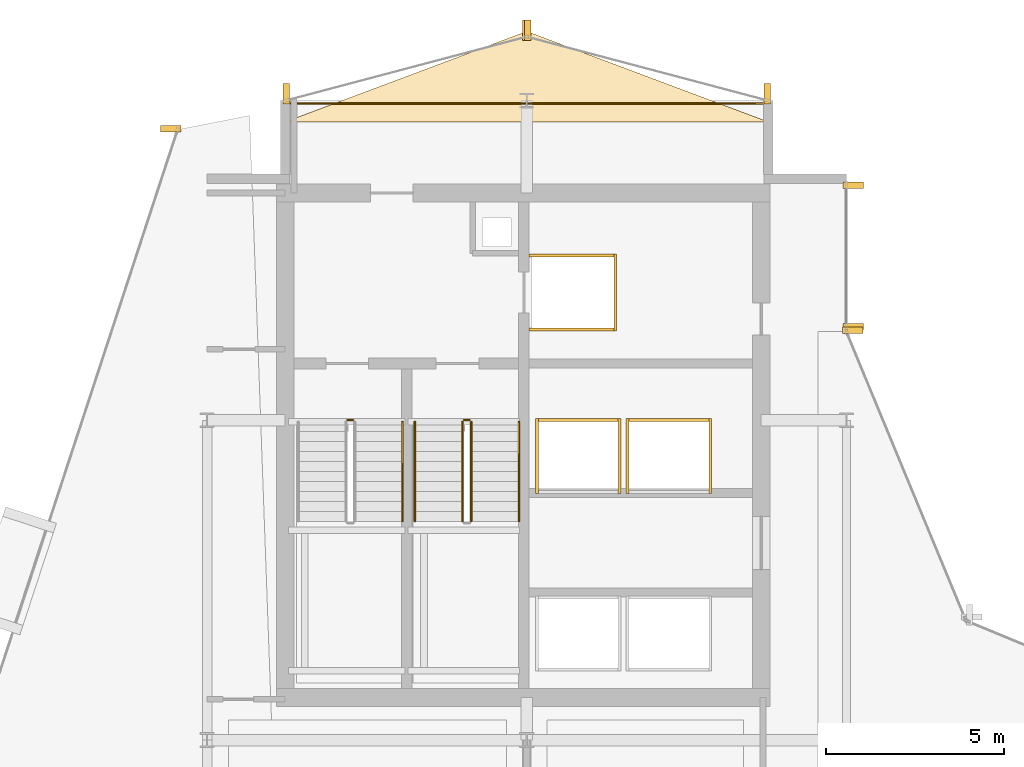
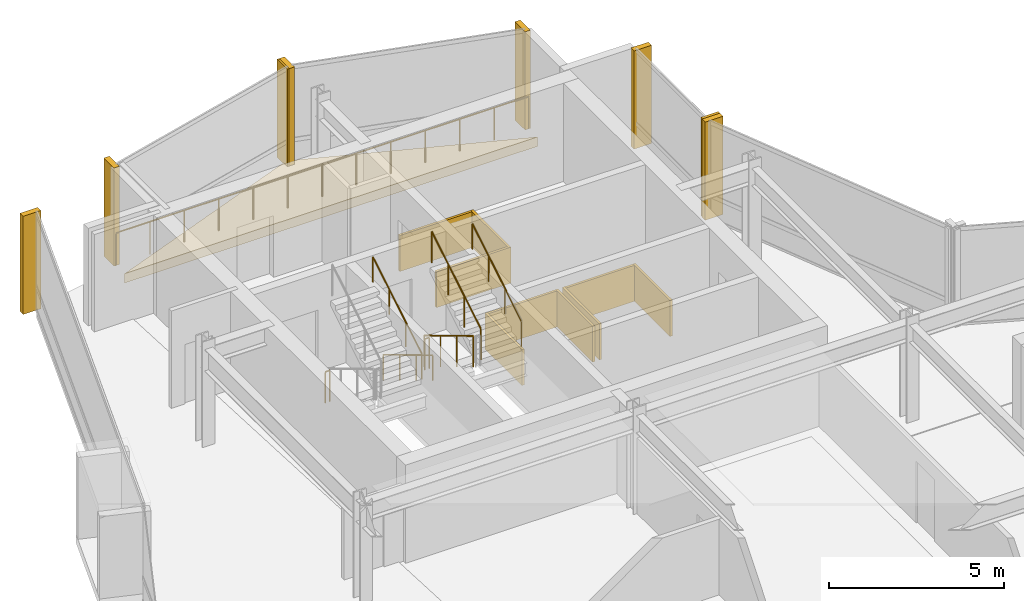
# One storey, part 27 of 27: 18 coverings, 8 railings.
"""IFC4 building model written with IfcOpenShell, lengths in metres."""

from ifc_helpers import new_model, si_unit, direction, frame, origin, origin_2d, place, context, subcontext, project, spatial, polyline, rectangle, circle, outline, extrude, material, layer, layer_set, type_object, element, save


model = new_model("IFC4")

# Units and contexts
model_context = context("Model", 3, precision=1e-05, world=origin(), true_north=direction((0.0, 1.0)))
body_context = subcontext(model_context, "Body", "Model", "MODEL_VIEW")
ifc_project = project(units=[si_unit("LENGTHUNIT", "METRE"), si_unit("AREAUNIT", "SQUARE_METRE"), si_unit("VOLUMEUNIT", "CUBIC_METRE"), si_unit("PLANEANGLEUNIT", "RADIAN"), si_unit("MASSUNIT", "GRAM", prefix="KILO")], contexts=[model_context])

# Site, building, storey
site_placement = place(None, origin())
site = spatial("IfcSite", under=ifc_project, at=site_placement, CompositionType="ELEMENT")
building_placement = place(site_placement, origin())
building = spatial("IfcBuilding", under=site, at=building_placement, Name="Solvaryn Broadcast Tower", CompositionType="ELEMENT")
storey_placement = place(building_placement, frame((0.0, 0.0, 181.60009765625)))
storey = spatial("IfcBuildingStorey", under=building, at=storey_placement, Name="L45", CompositionType="ELEMENT", Elevation=181.60009765625)

# Coverings
ifc_material_1 = material(Name="Fire-Rated Gypsum Shaftwall Liner", Category="concrete")
ifc_layer_1 = layer(ifc_material_1, 0.080078125)
ifc_layer_set_1 = layer_set([ifc_layer_1], Name="CV-SHAFT-LINER")
covering_type_1 = type_object("IfcCoveringType", Name="CV-SHAFT-LINER", PredefinedType="CLADDING", material=ifc_layer_set_1)
for number, where, z_axis, x_axis, name in (
    (1, (19.300048828125, 40.639892578125, 0.0), (0.0, 0.0, 1.0), (1.0, 0.0, 0.0), "L45 FL1 Hoistway Shaft Liner North"),
    (2, (19.300048828125, 38.56005859375, 0.0), (0.0, 0.0, 1.0), (1.0, 0.0, 0.0), "L45 FL1 Hoistway Shaft Liner South"),
):
    element("IfcCovering", number, at=place(storey_placement, frame(where, z_axis=z_axis, x_axis=x_axis)), inside=storey, type_object=covering_type_1, Name=name, PredefinedType="CLADDING", context=body_context, shape_type="SweptSolid", body=[
        extrude(rectangle(XDim=2.4599609375, YDim=0.080078125, at=origin_2d()), origin(), (0.0, 0.0, 1.0), 1.25),
    ])
covering_1_placement = place(storey_placement, frame((20.489990234375, 39.60009765625, 0.0), z_axis=(0.0, 0.0, 1.0), x_axis=(1.0, 0.0, 0.0)))
element("IfcCovering", 3, at=covering_1_placement, inside=storey, type_object=covering_type_1, Name="L45 FL1 Hoistway Shaft Liner East", PredefinedType="CLADDING", context=body_context, shape_type="SweptSolid", body=[
    extrude(rectangle(XDim=0.080078125, YDim=2.159912109375, at=origin_2d()), origin(), (0.0, 0.0, 1.0), 1.25),
])
covering_2_placement = place(storey_placement, frame((19.449951171875, 36.014892578125, 0.0), z_axis=(0.0, 0.0, 1.0), x_axis=(1.0, 0.0, 0.0)))
element("IfcCovering", 4, at=covering_2_placement, inside=storey, type_object=covering_type_1, Name="L45 PH3 Hoistway Shaft Liner North", PredefinedType="CLADDING", context=body_context, shape_type="SweptSolid", body=[
    extrude(rectangle(XDim=2.409912109375, YDim=0.080078125, at=origin_2d()), origin(), (0.0, 0.0, 1.0), 1.25),
])
for number, where, z_axis, x_axis, name in (
    (5, (20.614990234375, 35.0, 0.0), (0.0, 0.0, 1.0), (1.0, 0.0, 0.0), "L45 PH3 Hoistway Shaft Liner East"),
    (6, (18.284912109375, 35.0, 0.0), (0.0, 0.0, 1.0), (1.0, 0.0, 0.0), "L45 PH3 Hoistway Shaft Liner West"),
):
    element("IfcCovering", number, at=place(storey_placement, frame(where, z_axis=z_axis, x_axis=x_axis)), inside=storey, type_object=covering_type_1, Name=name, PredefinedType="CLADDING", context=body_context, shape_type="SweptSolid", body=[
        extrude(rectangle(XDim=0.080078125, YDim=2.110107421875, at=origin_2d()), origin(), (0.0, 0.0, 1.0), 1.25),
    ])
covering_3_placement = place(storey_placement, frame((22.0, 36.014892578125, 0.0), z_axis=(0.0, 0.0, 1.0), x_axis=(1.0, 0.0, 0.0)))
element("IfcCovering", 7, at=covering_3_placement, inside=storey, type_object=covering_type_1, Name="L45 PH4 Hoistway Shaft Liner North", PredefinedType="CLADDING", context=body_context, shape_type="SweptSolid", body=[
    extrude(rectangle(XDim=2.409912109375, YDim=0.080078125, at=origin_2d()), origin(), (0.0, 0.0, 1.0), 1.25),
])
for number, where, z_axis, x_axis, name in (
    (8, (23.1650390625, 35.0, 0.0), (0.0, 0.0, 1.0), (1.0, 0.0, 0.0), "L45 PH4 Hoistway Shaft Liner East"),
    (9, (20.8349609375, 35.0, 0.0), (0.0, 0.0, 1.0), (1.0, 0.0, 0.0), "L45 PH4 Hoistway Shaft Liner West"),
):
    element("IfcCovering", number, at=place(storey_placement, frame(where, z_axis=z_axis, x_axis=x_axis)), inside=storey, type_object=covering_type_1, Name=name, PredefinedType="CLADDING", context=body_context, shape_type="SweptSolid", body=[
        extrude(rectangle(XDim=0.080078125, YDim=2.110107421875, at=origin_2d()), origin(), (0.0, 0.0, 1.0), 1.25),
    ])
ifc_material_2 = material(Name="Extruded Architectural Terracotta Fin", Category="masonry")
ifc_layer_2 = layer(ifc_material_2, 0.179931640625)
ifc_layer_set_2 = layer_set([ifc_layer_2], Name="CV-TC-FIN")
covering_type_2 = type_object("IfcCoveringType", Name="CV-TC-FIN", PredefinedType="USERDEFINED", material=ifc_layer_set_2)
for number, where, z_axis, x_axis, name in (
    (10, (7.982666015625, 44.209716796875, 0.0), (0.0, 0.0, 1.0), (1.0, 0.0, 0.0), "L45 Terracotta Vertical Fin FIN-L45-DR1-M00"),
    (11, (27.1875, 42.6201171875, 0.0), (0.0, 0.0, 1.0), (1.0, 0.0, 0.0), "L45 Terracotta Vertical Fin FIN-L45-IV-M00"),
    (12, (27.1875, 38.6298828125, 0.0), (0.0, 0.0, 1.0), (1.0, 0.0, 0.0), "L45 Terracotta Vertical Fin FIN-L45-IV-M01"),
    (13, (27.177978515625, 38.541259765625, 0.0), (0.0, 0.0, 1.0), (1.0, 0.0, 0.0), "L45 Terracotta Vertical Fin FIN-L45-CN2-M01"),
):
    element("IfcCovering", number, at=place(storey_placement, frame(where, z_axis=z_axis, x_axis=x_axis)), inside=storey, type_object=covering_type_2, Name=name, ObjectType="FIN", PredefinedType="USERDEFINED", context=body_context, shape_type="SweptSolid", body=[
        extrude(rectangle(XDim=0.580078125, YDim=0.179931640625, at=origin_2d()), origin(), (0.0, 0.0, 1.0), 3.419921875),
    ])
for number, where, z_axis, x_axis, name in (
    (14, (24.77099609375, 45.1953125, 0.0), (0.0, 0.0, 1.0), (1.0, 0.0, 0.0), "L45 Terracotta Vertical Fin FIN-L45-NT1-M00"),
    (15, (18.029052734375, 46.979736328125, 0.0), (0.0, 0.0, 1.0), (1.0, 0.0, 0.0), "L45 Terracotta Vertical Fin FIN-L45-NT1-M01"),
    (16, (17.970947265625, 46.979736328125, 0.0), (0.0, 0.0, 1.0), (1.0, 0.0, 0.0), "L45 Terracotta Vertical Fin FIN-L45-NT2-M00"),
    (17, (11.22900390625, 45.1953125, 0.0), (0.0, 0.0, 1.0), (1.0, 0.0, 0.0), "L45 Terracotta Vertical Fin FIN-L45-NT2-M01"),
):
    element("IfcCovering", number, at=place(storey_placement, frame(where, z_axis=z_axis, x_axis=x_axis)), inside=storey, type_object=covering_type_2, Name=name, ObjectType="FIN", PredefinedType="USERDEFINED", context=body_context, shape_type="SweptSolid", body=[
        extrude(rectangle(XDim=0.179931640625, YDim=0.580078125, at=origin_2d()), origin(), (0.0, 0.0, 1.0), 3.419921875),
    ])
ifc_material_3 = material(Name="Sculpted Architectural Terracotta Wave Fascia", Category="masonry")
ifc_layer_3 = layer(ifc_material_3, 0.340087890625)
ifc_layer_set_3 = layer_set([ifc_layer_3], Name="CV-WAVE-TRAY")
covering_type_3 = type_object("IfcCoveringType", Name="CV-WAVE-TRAY", PredefinedType="CLADDING", material=ifc_layer_set_3)
covering_4_placement = place(storey_placement, frame((0.0, 0.0, -0.300048828125)))
element("IfcCovering", 18, at=covering_4_placement, inside=storey, type_object=covering_type_3, Name="L45 North Curved Wing Deck", PredefinedType="CLADDING", context=body_context, shape_type="SweptSolid", body=[
    extrude(outline(polyline([(11.199951171875, 44.39990234375), (24.800048828125, 44.39990234375), (18.0, 46.949951171875), (11.199951171875, 44.39990234375)])), origin(), (0.0, 0.0, 1.0), 0.329833984375),
])

# Railings
ifc_material_4 = material(Name="Painted Steel Stair Well Guard", Category="steel")
railing_type_1 = type_object("IfcRailingType", Name="RL-STAIR-GUARD", PredefinedType="BALUSTRADE", material=ifc_material_4)
railing_1_placement = place(storey_placement, frame((12.9599609375, 36.010009765625, 0.0)))
element("IfcRailing", 19, at=railing_1_placement, inside=storey, type_object=railing_type_1, Name="L45 ST1 stair guard 4", PredefinedType="BALUSTRADE", context=body_context, shape_type="SweptSolid", body=[
    extrude(circle(Radius=0.02392578125, at=origin_2d()), frame((0.0, 0.0, 1.076171875), z_axis=(1.0, 0.0, 0.0), x_axis=(0.0, 1.0, 0.0)), (0.0, 0.0, 1.0), 0.150146484375),
    extrude(circle(Radius=0.02099609375, at=origin_2d()), origin(), (0.0, 0.0, 1.0), 1.052001953125),
    extrude(circle(Radius=0.02099609375, at=origin_2d()), frame((0.150146484375, 0.0, 0.0)), (0.0, 0.0, 1.0), 1.052001953125),
])
railing_2_placement = place(storey_placement, frame((16.18994140625, 35.9599609375, 0.16796875)))
element("IfcRailing", 20, at=railing_2_placement, inside=storey, type_object=railing_type_1, Name="L45 ST2 stair guard 1", PredefinedType="BALUSTRADE", context=body_context, shape_type="SweptSolid", body=[
    extrude(circle(Radius=0.02392578125, at=origin_2d()), frame((0.0, 0.0, 1.076171875), z_axis=(0.0, -0.857242210791, 0.514913383045), x_axis=(1.0, 0.0, 0.0)), (0.0, 0.0, 1.0), 3.266357421875),
    extrude(circle(Radius=0.02099609375, at=origin_2d()), origin(), (0.0, 0.0, 1.0), 1.052001953125),
    extrude(circle(Radius=0.02099609375, at=origin_2d()), frame((0.0, -0.933349609375, 0.560546875)), (0.0, 0.0, 1.0), 1.052001953125),
    extrude(circle(Radius=0.02099609375, at=origin_2d()), frame((0.0, -1.86669921875, 1.121337890625)), (0.0, 0.0, 1.0), 1.052001953125),
    extrude(circle(Radius=0.02099609375, at=origin_2d()), frame((0.0, -2.800048828125, 1.681884765625)), (0.0, 0.0, 1.0), 1.052001953125),
])
railing_3_placement = place(storey_placement, frame((16.43994140625, 33.159912109375, 2.01806640625)))
element("IfcRailing", 21, at=railing_3_placement, inside=storey, type_object=railing_type_1, Name="L45 ST2 stair guard 3", PredefinedType="BALUSTRADE", context=body_context, shape_type="SweptSolid", body=[
    extrude(circle(Radius=0.02392578125, at=origin_2d()), frame((0.0, 0.0, 1.076171875), z_axis=(0.0, 0.857242210791, 0.514913383045), x_axis=(-1.0, 0.0, 0.0)), (0.0, 0.0, 1.0), 3.266357421875),
    extrude(circle(Radius=0.02099609375, at=origin_2d()), origin(), (0.0, 0.0, 1.0), 1.052001953125),
    extrude(circle(Radius=0.02099609375, at=origin_2d()), frame((0.0, 0.933349609375, 0.560546875)), (0.0, 0.0, 1.0), 1.052001953125),
    extrude(circle(Radius=0.02099609375, at=origin_2d()), frame((0.0, 1.86669921875, 1.121337890625)), (0.0, 0.0, 1.0), 1.052001953125),
    extrude(circle(Radius=0.02099609375, at=origin_2d()), frame((0.0, 2.800048828125, 1.681884765625)), (0.0, 0.0, 1.0), 1.052001953125),
])
railing_4_placement = place(storey_placement, frame((16.239990234375, 36.010009765625, 0.0)))
element("IfcRailing", 22, at=railing_4_placement, inside=storey, type_object=railing_type_1, Name="L45 ST2 stair guard 4", PredefinedType="BALUSTRADE", context=body_context, shape_type="SweptSolid", body=[
    extrude(circle(Radius=0.02392578125, at=origin_2d()), frame((0.0, 0.0, 1.076171875), z_axis=(1.0, 0.0, 0.0), x_axis=(0.0, 1.0, 0.0)), (0.0, 0.0, 1.0), 0.14990234375),
    extrude(circle(Radius=0.02099609375, at=origin_2d()), origin(), (0.0, 0.0, 1.0), 1.052001953125),
    extrude(circle(Radius=0.02099609375, at=origin_2d()), frame((0.14990234375, 0.0, 0.0)), (0.0, 0.0, 1.0), 1.052001953125),
])
ifc_material_5 = material(Name="Brushed Stainless Steel Tubular Handrail", Category="steel")
railing_type_2 = type_object("IfcRailingType", Name="RL-STAIR-HANDRAIL", PredefinedType="HANDRAIL", material=ifc_material_5)
railing_5_placement = place(storey_placement, frame((14.5, 33.159912109375, 2.01806640625)))
element("IfcRailing", 23, at=railing_5_placement, inside=storey, type_object=railing_type_2, Name="L45 ST1 stair handrail 2", PredefinedType="HANDRAIL", context=body_context, shape_type="SweptSolid", body=[
    extrude(circle(Radius=0.02392578125, at=origin_2d()), frame((0.0, 0.0, 0.8759765625), z_axis=(0.0, 0.857242210791, 0.514913383045), x_axis=(-1.0, 0.0, 0.0)), (0.0, 0.0, 1.0), 3.266357421875),
    extrude(circle(Radius=0.02099609375, at=origin_2d()), origin(), (0.0, 0.0, 1.0), 0.851806640625),
    extrude(circle(Radius=0.02099609375, at=origin_2d()), frame((0.0, 0.933349609375, 0.560546875)), (0.0, 0.0, 1.0), 0.851806640625),
    extrude(circle(Radius=0.02099609375, at=origin_2d()), frame((0.0, 1.86669921875, 1.121337890625)), (0.0, 0.0, 1.0), 0.851806640625),
    extrude(circle(Radius=0.02099609375, at=origin_2d()), frame((0.0, 2.800048828125, 1.681884765625)), (0.0, 0.0, 1.0), 0.851806640625),
])
railing_6_placement = place(storey_placement, frame((14.85009765625, 35.9599609375, 0.16796875)))
element("IfcRailing", 24, at=railing_6_placement, inside=storey, type_object=railing_type_2, Name="L45 ST2 stair handrail 1", PredefinedType="HANDRAIL", context=body_context, shape_type="SweptSolid", body=[
    extrude(circle(Radius=0.02392578125, at=origin_2d()), frame((0.0, 0.0, 0.8759765625), z_axis=(0.0, -0.857242210791, 0.514913383045), x_axis=(1.0, 0.0, 0.0)), (0.0, 0.0, 1.0), 3.266357421875),
    extrude(circle(Radius=0.02099609375, at=origin_2d()), origin(), (0.0, 0.0, 1.0), 0.851806640625),
    extrude(circle(Radius=0.02099609375, at=origin_2d()), frame((0.0, -0.933349609375, 0.560546875)), (0.0, 0.0, 1.0), 0.851806640625),
    extrude(circle(Radius=0.02099609375, at=origin_2d()), frame((0.0, -1.86669921875, 1.121337890625)), (0.0, 0.0, 1.0), 0.851806640625),
    extrude(circle(Radius=0.02099609375, at=origin_2d()), frame((0.0, -2.800048828125, 1.681884765625)), (0.0, 0.0, 1.0), 0.851806640625),
])
railing_7_placement = place(storey_placement, frame((17.780029296875, 33.159912109375, 2.01806640625)))
element("IfcRailing", 25, at=railing_7_placement, inside=storey, type_object=railing_type_2, Name="L45 ST2 stair handrail 2", PredefinedType="HANDRAIL", context=body_context, shape_type="SweptSolid", body=[
    extrude(circle(Radius=0.02392578125, at=origin_2d()), frame((0.0, 0.0, 0.8759765625), z_axis=(0.0, 0.857242210791, 0.514913383045), x_axis=(-1.0, 0.0, 0.0)), (0.0, 0.0, 1.0), 3.266357421875),
    extrude(circle(Radius=0.02099609375, at=origin_2d()), origin(), (0.0, 0.0, 1.0), 0.851806640625),
    extrude(circle(Radius=0.02099609375, at=origin_2d()), frame((0.0, 0.933349609375, 0.560546875)), (0.0, 0.0, 1.0), 0.851806640625),
    extrude(circle(Radius=0.02099609375, at=origin_2d()), frame((0.0, 1.86669921875, 1.121337890625)), (0.0, 0.0, 1.0), 0.851806640625),
    extrude(circle(Radius=0.02099609375, at=origin_2d()), frame((0.0, 2.800048828125, 1.681884765625)), (0.0, 0.0, 1.0), 0.851806640625),
])
ifc_material_6 = material(Name="Stainless Steel and Laminated Glass Guard", Category="steel")
railing_type_3 = type_object("IfcRailingType", Name="RL-TER-1150", PredefinedType="BALUSTRADE", material=ifc_material_6)
railing_8_placement = place(storey_placement, frame((11.199951171875, 44.919921875, 0.0)))
element("IfcRailing", 26, at=railing_8_placement, inside=storey, type_object=railing_type_3, Name="L45 North Wing Spandrel Edge Guard", PredefinedType="BALUSTRADE", context=body_context, shape_type="SweptSolid", body=[
    extrude(circle(Radius=0.02392578125, at=origin_2d()), frame((0.0, 0.0, 1.1259765625), z_axis=(1.0, 0.0, 0.0), x_axis=(0.0, 1.0, 0.0)), (0.0, 0.0, 1.0), 13.60009765625),
    extrude(circle(Radius=0.02099609375, at=origin_2d()), origin(), (0.0, 0.0, 1.0), 1.101806640625),
    extrude(circle(Radius=0.02099609375, at=origin_2d()), frame((1.13330078125, 0.0, 0.0)), (0.0, 0.0, 1.0), 1.101806640625),
    extrude(circle(Radius=0.02099609375, at=origin_2d()), frame((2.2666015625, 0.0, 0.0)), (0.0, 0.0, 1.0), 1.101806640625),
    extrude(circle(Radius=0.02099609375, at=origin_2d()), frame((3.39990234375, 0.0, 0.0)), (0.0, 0.0, 1.0), 1.101806640625),
    extrude(circle(Radius=0.02099609375, at=origin_2d()), frame((4.533447265625, 0.0, 0.0)), (0.0, 0.0, 1.0), 1.101806640625),
    extrude(circle(Radius=0.02099609375, at=origin_2d()), frame((5.666748046875, 0.0, 0.0)), (0.0, 0.0, 1.0), 1.101806640625),
    extrude(circle(Radius=0.02099609375, at=origin_2d()), frame((6.800048828125, 0.0, 0.0)), (0.0, 0.0, 1.0), 1.101806640625),
    extrude(circle(Radius=0.02099609375, at=origin_2d()), frame((7.933349609375, 0.0, 0.0)), (0.0, 0.0, 1.0), 1.101806640625),
    extrude(circle(Radius=0.02099609375, at=origin_2d()), frame((9.066650390625, 0.0, 0.0)), (0.0, 0.0, 1.0), 1.101806640625),
    extrude(circle(Radius=0.02099609375, at=origin_2d()), frame((10.2001953125, 0.0, 0.0)), (0.0, 0.0, 1.0), 1.101806640625),
    extrude(circle(Radius=0.02099609375, at=origin_2d()), frame((11.33349609375, 0.0, 0.0)), (0.0, 0.0, 1.0), 1.101806640625),
    extrude(circle(Radius=0.02099609375, at=origin_2d()), frame((12.466796875, 0.0, 0.0)), (0.0, 0.0, 1.0), 1.101806640625),
    extrude(circle(Radius=0.02099609375, at=origin_2d()), frame((13.60009765625, 0.0, 0.0)), (0.0, 0.0, 1.0), 1.101806640625),
])

save(model, "model.ifc")
